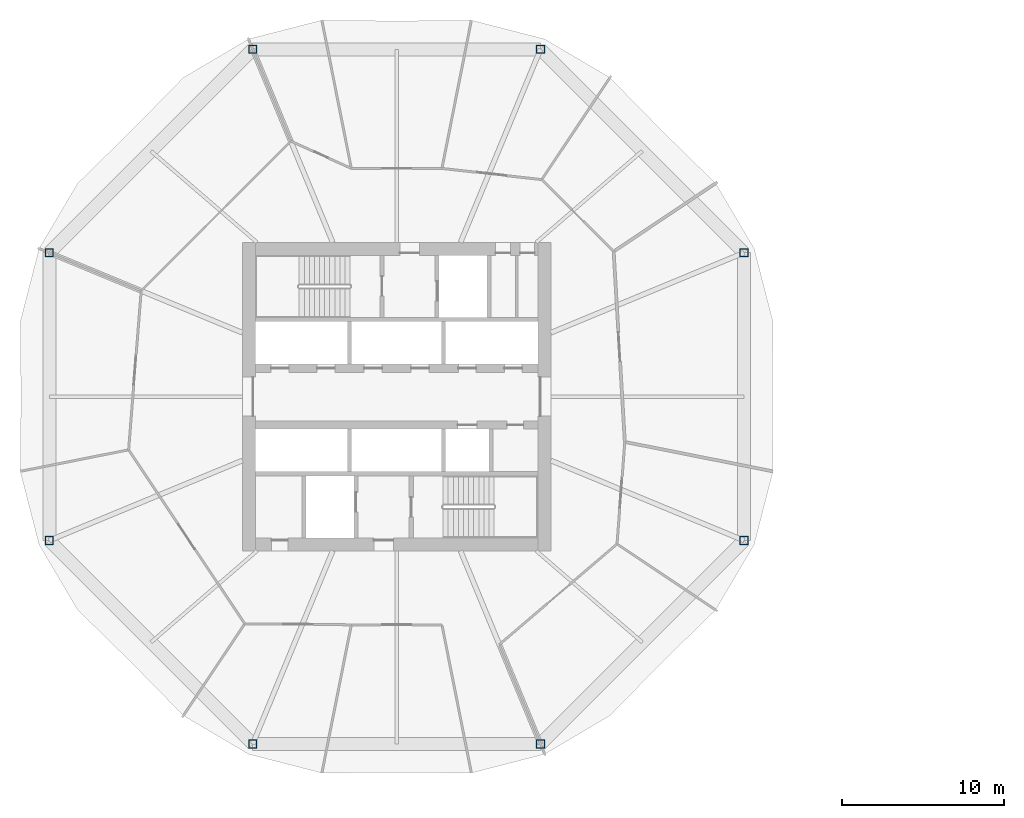
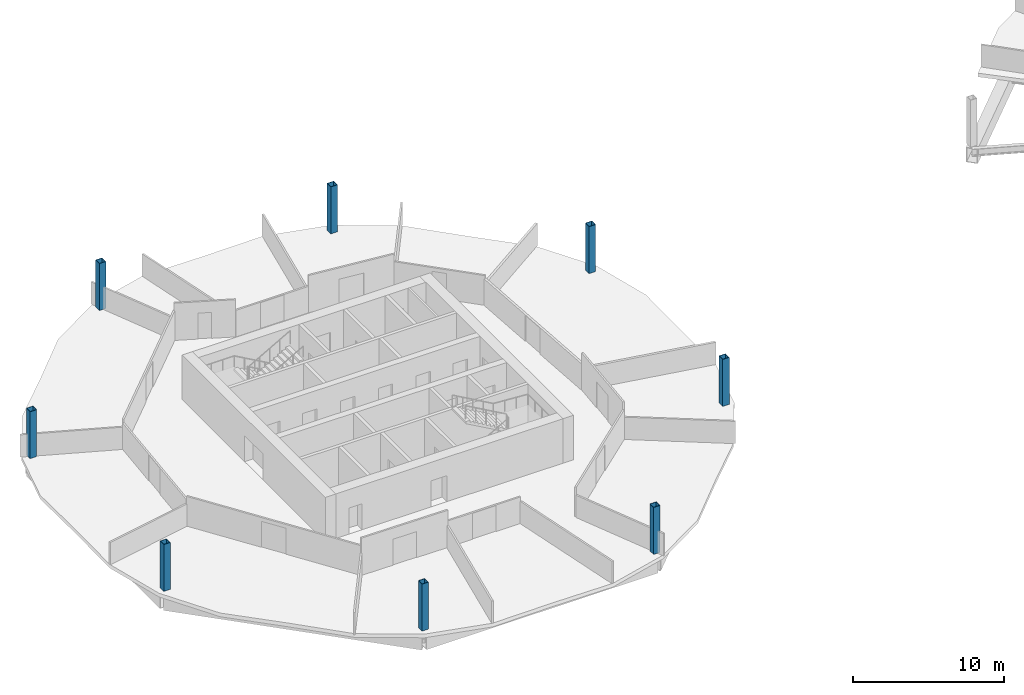
# One storey, part 1 of 9: 8 columns.
"""IFC4 building model written with IfcOpenShell, lengths in metres."""

from ifc_helpers import new_model, si_unit, direction, frame, origin, origin_2d, place, context, subcontext, project, spatial, hollow_rectangle, extrude, material, material_profile, profile_set, type_object, element, save


model = new_model("IFC4")

# Units and contexts
model_context = context("Model", 3, precision=1e-05, world=origin(), true_north=direction((0.0, 1.0)))
body_context = subcontext(model_context, "Body", "Model", "MODEL_VIEW")
ifc_project = project(units=[si_unit("LENGTHUNIT", "METRE"), si_unit("AREAUNIT", "SQUARE_METRE"), si_unit("VOLUMEUNIT", "CUBIC_METRE"), si_unit("PLANEANGLEUNIT", "RADIAN"), si_unit("MASSUNIT", "GRAM", prefix="KILO")], contexts=[model_context])

# Site, building, storey
site_placement = place(None, origin())
site = spatial("IfcSite", under=ifc_project, at=site_placement, CompositionType="ELEMENT")
building_placement = place(site_placement, origin())
building = spatial("IfcBuilding", under=site, at=building_placement, Name="Ogive Gate Towers", CompositionType="ELEMENT")
storey_placement = place(building_placement, frame((0.0, 0.0, 111.300048828125)))
storey = spatial("IfcBuildingStorey", under=building, at=storey_placement, Name="L26", CompositionType="ELEMENT", Elevation=111.300048828125)

# Columns
ifc_material = material(Name="Steel SM460", Category="steel")
ifc_material_profile = material_profile(ifc_material, hollow_rectangle(XDim=0.5, YDim=0.5, WallThickness=0.030029296875, at=origin_2d()), Name="BX 500x500x30")
ifc_profile_set = profile_set([ifc_material_profile], Name="Steel SM460")
column_type = type_object("IfcColumnType", Name="Perimeter post BX 500x500x30", PredefinedType="COLUMN", material=ifc_profile_set)
for number, where, z_axis, x_axis, name in (
    (1, (-14.60302734375, 8.863037109375, 0.0), (0.0, 0.0, 1.0), (1.0, 0.0, 0.0), "T1/L26/SCL001"),
    (2, (-27.136962890625, 21.39697265625, 0.0), (0.0, 0.0, 1.0), (1.0, 0.0, 0.0), "T1/L26/SCL002"),
    (3, (-44.863037109375, 21.39697265625, 0.0), (0.0, 0.0, 1.0), (1.0, 0.0, 0.0), "T1/L26/SCL003"),
    (4, (-57.39697265625, 8.863037109375, 0.0), (0.0, 0.0, 1.0), (1.0, 0.0, 0.0), "T1/L26/SCL004"),
    (5, (-57.39697265625, -8.863037109375, 0.0), (0.0, 0.0, 1.0), (1.0, 0.0, 0.0), "T1/L26/SCL005"),
    (6, (-44.863037109375, -21.39697265625, 0.0), (0.0, 0.0, 1.0), (1.0, 0.0, 0.0), "T1/L26/SCL006"),
    (7, (-27.136962890625, -21.39697265625, 0.0), (0.0, 0.0, 1.0), (1.0, 0.0, 0.0), "T1/L26/SCL007"),
    (8, (-14.60302734375, -8.863037109375, 0.0), (0.0, 0.0, 1.0), (1.0, 0.0, 0.0), "T1/L26/SCL008"),
):
    element("IfcColumn", number, at=place(storey_placement, frame(where, z_axis=z_axis, x_axis=x_axis)), inside=storey, type_object=column_type, Name=name, PredefinedType="COLUMN", context=body_context, shape_type="SweptSolid", body=[
        extrude(hollow_rectangle(XDim=0.5, YDim=0.5, WallThickness=0.030029296875, at=origin_2d()), origin(), (0.0, 0.0, 1.0), 3.800048828125),
    ])

save(model, "model.ifc")
